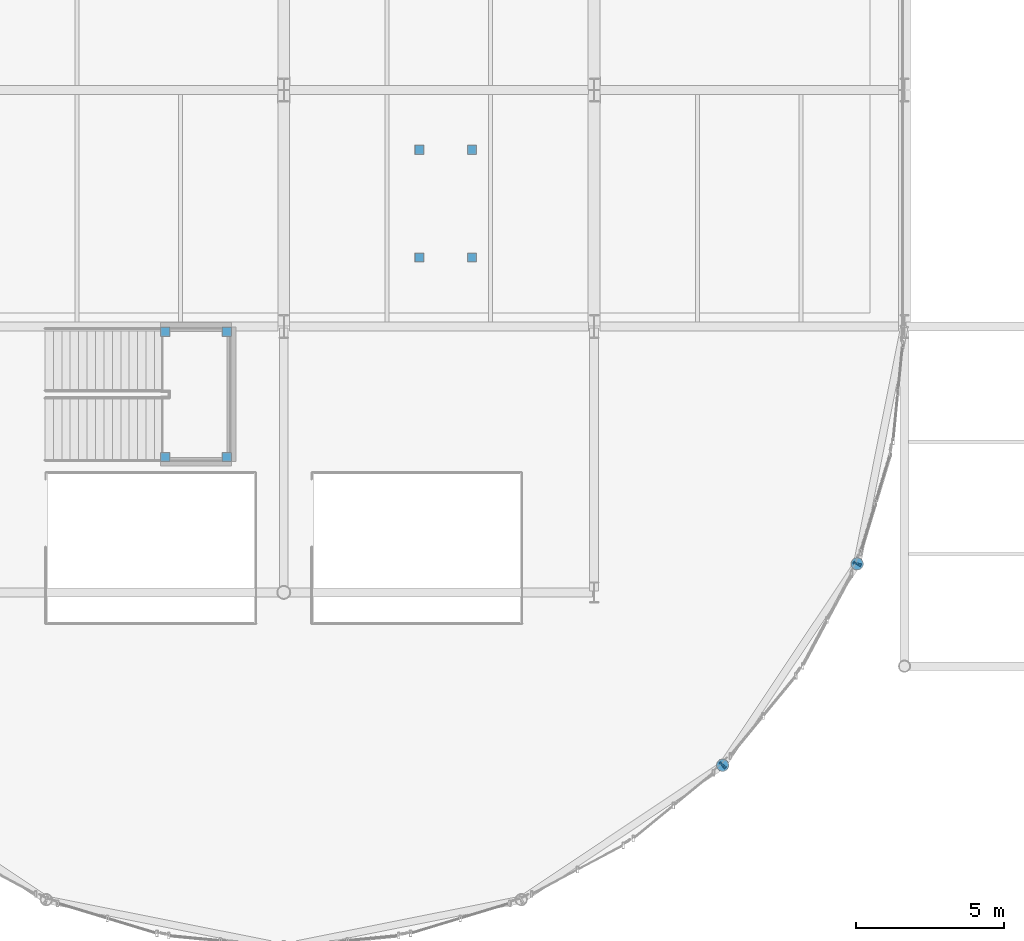
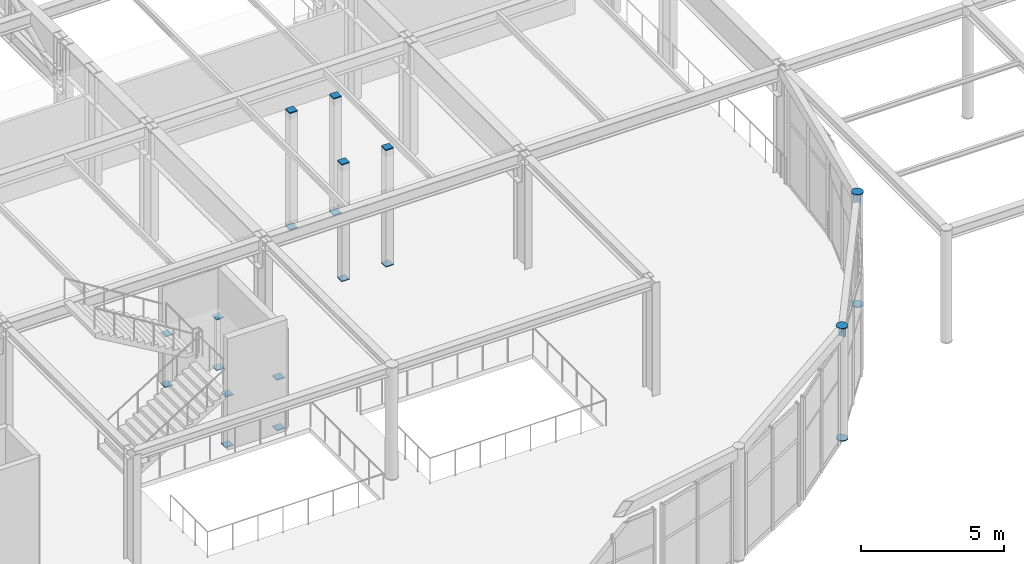
# One storey, part 94 of 143: 24 discrete accessories.
"""IFC4 building model written with IfcOpenShell, lengths in metres."""

from ifc_helpers import new_model, si_unit, direction, frame, origin, origin_2d, place, context, subcontext, project, spatial, rectangle, circle, extrude, material, element, save


model = new_model("IFC4")

# Units and contexts
model_context = context("Model", 3, precision=1e-05, world=origin(), true_north=direction((0.0, 1.0)))
body_context = subcontext(model_context, "Body", "Model", "MODEL_VIEW")
ifc_project = project(units=[si_unit("LENGTHUNIT", "METRE"), si_unit("AREAUNIT", "SQUARE_METRE"), si_unit("VOLUMEUNIT", "CUBIC_METRE"), si_unit("PLANEANGLEUNIT", "RADIAN"), si_unit("MASSUNIT", "GRAM", prefix="KILO")], contexts=[model_context])

# Site, building, storey
site_placement = place(None, origin())
site = spatial("IfcSite", under=ifc_project, at=site_placement, CompositionType="ELEMENT")
building_placement = place(site_placement, origin())
building = spatial("IfcBuilding", under=site, at=building_placement, Name="Marlcrest Central Station", CompositionType="ELEMENT")
storey_placement = place(building_placement, frame((0.0, 0.0, 4.800048828125)))
storey = spatial("IfcBuildingStorey", under=building, at=storey_placement, Name="L01", CompositionType="ELEMENT", Elevation=4.800048828125)

# Discrete accessories
ifc_material = material(Name="Steel S355", Category="steel")
for number, where, z_axis, x_axis, name in (
    (1, (122.84912109375, 7.65087890625, -0.014892578125), (0.0, 0.0, 1.0), (1.0, 0.0, 0.0), "endcap-col-SC-10-L01-0808-s"),
    (2, (122.84912109375, 7.65087890625, 4.78515625), (0.0, 0.0, 1.0), (1.0, 0.0, 0.0), "endcap-col-SC-10-L01-0808-e"),
    (3, (127.40087890625, 14.464111328125, -0.014892578125), (0.0, 0.0, 1.0), (1.0, 0.0, 0.0), "endcap-col-SC-10-L01-0812-s"),
    (4, (127.40087890625, 14.464111328125, 4.78515625), (0.0, 0.0, 1.0), (1.0, 0.0, 0.0), "endcap-col-SC-10-L01-0812-e"),
):
    element("IfcDiscreteAccessory", number, at=place(storey_placement, frame(where, z_axis=z_axis, x_axis=x_axis)), inside=storey, material=ifc_material, Name=name, ObjectType="END_CAP_PLATE", PredefinedType="BRACKET", context=body_context, shape_type="SweptSolid", body=[
        extrude(circle(Radius=0.211181640625, at=origin_2d()), origin(), (0.0, 0.0, 1.0), 0.0400390625),
    ])
for number, where, z_axis, x_axis, name in (
    (5, (122.828369140625, 7.636962890625, 4.58984375), (0.831508991937, 0.55551129271, 0.0), (-0.55551129271, 0.831508991937, 0.0), "endcap-bm-SP-02-L01-01362-e"),
    (6, (122.8408203125, 7.638427734375, 4.58984375), (0.55551129271, 0.831508991937, 0.0), (-0.831508991937, 0.55551129271, 0.0), "endcap-bm-SP-02-L01-01363-s"),
    (7, (127.386962890625, 14.443359375, 4.58984375), (0.55551129271, 0.831508991937, 0.0), (-0.831508991937, 0.55551129271, 0.0), "endcap-bm-SP-02-L01-01363-e"),
    (8, (127.39794921875, 14.449462890625, 4.58984375), (0.19517056122, 0.980769316421, 0.0), (-0.980769316421, 0.19517056122, 0.0), "endcap-bm-SP-02-L01-01364-s"),
):
    element("IfcDiscreteAccessory", number, at=place(storey_placement, frame(where, z_axis=z_axis, x_axis=x_axis)), inside=storey, material=ifc_material, Name=name, ObjectType="END_CAP_PLATE", PredefinedType="BRACKET", context=body_context, shape_type="SweptSolid", body=[
        extrude(rectangle(XDim=0.26611328125, YDim=0.466064453125, at=origin_2d()), origin(), (0.0, 0.0, 1.0), 0.0400390625),
    ])
for number, where, z_axis, x_axis, name in (
    (9, (103.989990234375, 18.080078125, -0.014892578125), (0.0, 0.0, 1.0), (1.0, 0.0, 0.0), "endcap-htcol-lo-0033-0-s"),
    (10, (103.989990234375, 18.080078125, 2.155029296875), (0.0, 0.0, 1.0), (1.0, 0.0, 0.0), "endcap-htcol-lo-0033-0-e"),
    (11, (106.070068359375, 18.080078125, -0.014892578125), (0.0, 0.0, 1.0), (1.0, 0.0, 0.0), "endcap-htcol-lo-0033-1-s"),
    (12, (106.070068359375, 18.080078125, 2.155029296875), (0.0, 0.0, 1.0), (1.0, 0.0, 0.0), "endcap-htcol-lo-0033-1-e"),
    (13, (106.070068359375, 22.320068359375, -0.014892578125), (0.0, 0.0, 1.0), (1.0, 0.0, 0.0), "endcap-htcol-lo-0033-2-s"),
    (14, (106.070068359375, 22.320068359375, 2.155029296875), (0.0, 0.0, 1.0), (1.0, 0.0, 0.0), "endcap-htcol-lo-0033-2-e"),
    (15, (103.989990234375, 22.320068359375, -0.014892578125), (0.0, 0.0, 1.0), (1.0, 0.0, 0.0), "endcap-htcol-lo-0033-3-s"),
    (16, (103.989990234375, 22.320068359375, 2.155029296875), (0.0, 0.0, 1.0), (1.0, 0.0, 0.0), "endcap-htcol-lo-0033-3-e"),
    (17, (112.590087890625, 24.830078125, -0.014892578125), (0.0, 0.0, 1.0), (1.0, 0.0, 0.0), "endcap-htcol-L01-0035-0-s"),
    (18, (112.590087890625, 24.830078125, 4.97509765625), (0.0, 0.0, 1.0), (1.0, 0.0, 0.0), "endcap-htcol-L01-0035-0-e"),
    (19, (114.3701171875, 24.830078125, -0.014892578125), (0.0, 0.0, 1.0), (1.0, 0.0, 0.0), "endcap-htcol-L01-0035-1-s"),
    (20, (114.3701171875, 24.830078125, 4.97509765625), (0.0, 0.0, 1.0), (1.0, 0.0, 0.0), "endcap-htcol-L01-0035-1-e"),
    (21, (114.3701171875, 28.469970703125, -0.014892578125), (0.0, 0.0, 1.0), (1.0, 0.0, 0.0), "endcap-htcol-L01-0035-2-s"),
    (22, (114.3701171875, 28.469970703125, 4.97509765625), (0.0, 0.0, 1.0), (1.0, 0.0, 0.0), "endcap-htcol-L01-0035-2-e"),
    (23, (112.590087890625, 28.469970703125, -0.014892578125), (0.0, 0.0, 1.0), (1.0, 0.0, 0.0), "endcap-htcol-L01-0035-3-s"),
    (24, (112.590087890625, 28.469970703125, 4.97509765625), (0.0, 0.0, 1.0), (1.0, 0.0, 0.0), "endcap-htcol-L01-0035-3-e"),
):
    element("IfcDiscreteAccessory", number, at=place(storey_placement, frame(where, z_axis=z_axis, x_axis=x_axis)), inside=storey, material=ifc_material, Name=name, ObjectType="END_CAP_PLATE", PredefinedType="BRACKET", context=body_context, shape_type="SweptSolid", body=[
        extrude(rectangle(XDim=0.31591796875, YDim=0.31591796875, at=origin_2d()), origin(), (0.0, 0.0, 1.0), 0.0400390625),
    ])

save(model, "model.ifc")
